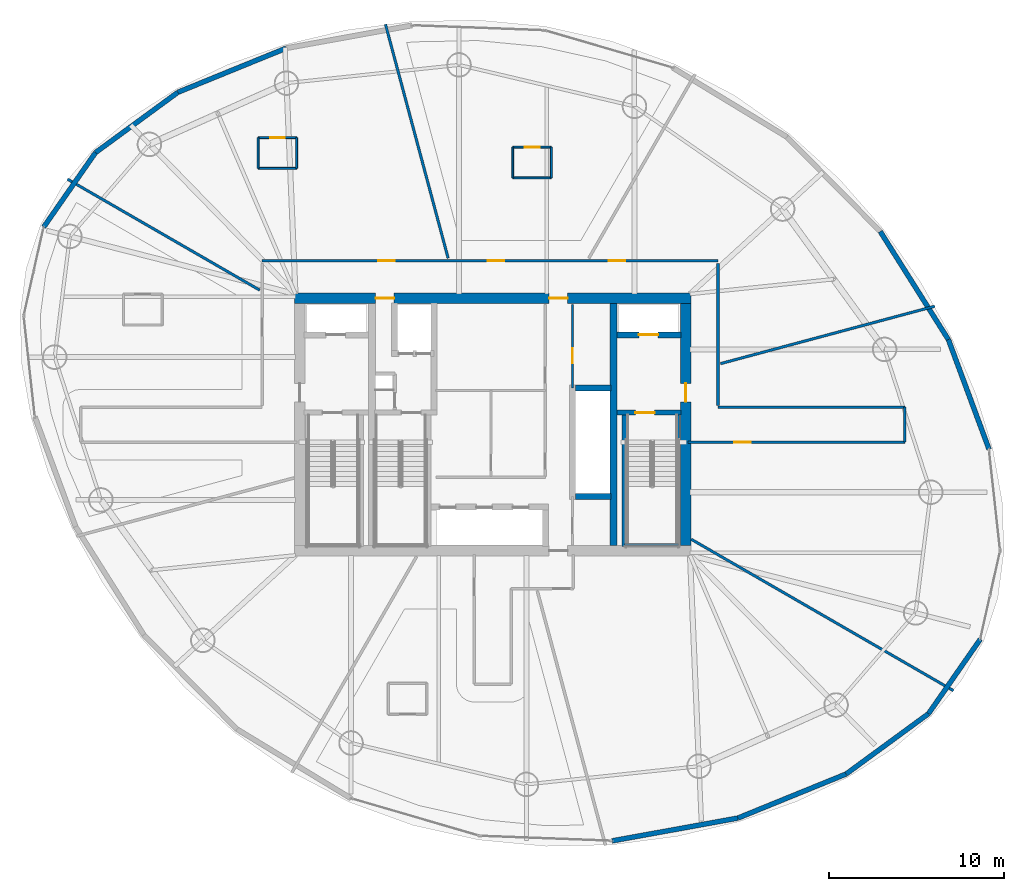
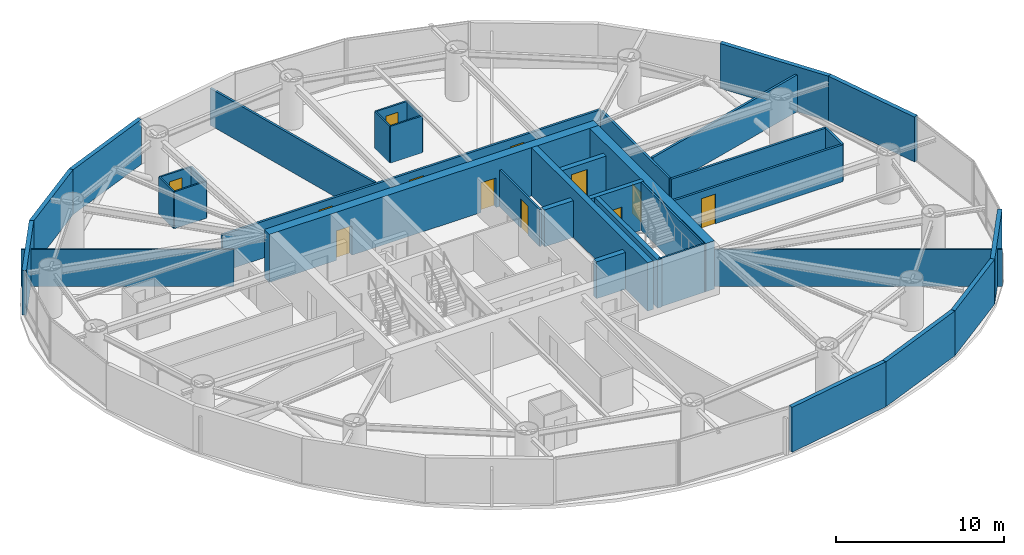
# One storey, part 18 of 22: 37 walls, 12 doors, 12 openings.
"""IFC4 building model written with IfcOpenShell, lengths in metres."""

from ifc_helpers import new_model, si_unit, direction, frame, frame_2d, origin, place, context, subcontext, project, spatial, rectangle, extrude, material, layer, layer_set, type_object, element, fill, save


model = new_model("IFC4")

# Units and contexts
model_context = context("Model", 3, precision=1e-05, world=origin(), true_north=direction((0.0, 1.0)))
body_context = subcontext(model_context, "Body", "Model", "MODEL_VIEW")
ifc_project = project(units=[si_unit("LENGTHUNIT", "METRE"), si_unit("AREAUNIT", "SQUARE_METRE"), si_unit("VOLUMEUNIT", "CUBIC_METRE"), si_unit("PLANEANGLEUNIT", "RADIAN"), si_unit("MASSUNIT", "GRAM", prefix="KILO")], contexts=[model_context])

# Site, building, storey
site_placement = place(None, origin())
site = spatial("IfcSite", under=ifc_project, at=site_placement, CompositionType="ELEMENT")
building_placement = place(site_placement, origin())
building = spatial("IfcBuilding", under=site, at=building_placement, Name="Bramvorn Convention Spire", CompositionType="ELEMENT")
storey_placement = place(building_placement, frame((0.0, 0.0, 127.300048828125)))
storey = spatial("IfcBuildingStorey", under=building, at=storey_placement, Name="L31", CompositionType="ELEMENT", Elevation=127.300048828125)

# Wall, openings, doors
ifc_material_1 = material(Name="Concrete C60/70", Category="concrete")
ifc_layer_1 = layer(ifc_material_1, 0.60009765625)
ifc_layer_set_1 = layer_set([ifc_layer_1], Name="Concrete C60/70 - WL-CORE-600")
wall_type_1 = type_object("IfcWallType", Name="WL-CORE-600", PredefinedType="SHEAR", material=ifc_layer_set_1)
wall_1_placement = place(storey_placement, frame((26.699951171875, 33.199951171875, 0.0), z_axis=(0.0, 0.0, 1.0), x_axis=(1.0, 0.0, 0.0)))
wall_1 = element("IfcWall", 1, at=wall_1_placement, inside=storey, type_object=wall_type_1, Name="L31 North RC core shear wall", PredefinedType="SHEAR", context=body_context, shape_type="SweptSolid", body=[
    extrude(rectangle(XDim=22.60009765625, YDim=0.60009765625, at=frame_2d((11.300048828125, 0.0))), origin(), (0.0, 0.0, 1.0), 3.5),
])
opening_1_placement = place(wall_1_placement, frame((4.6201171875, 0.0, 0.0)))
opening_1 = element("IfcOpeningElement", 2, at=opening_1_placement, cuts=wall_1, Name="Opening DL-105", PredefinedType="OPENING", context=body_context, shape_type="SweptSolid", body=[
    extrude(rectangle(XDim=1.050048828125, YDim=2.14990234375, at=frame_2d((0.52490234375, 1.074951171875))), frame((0.0, 0.31005859375, 0.0), z_axis=(0.0, -1.0, 0.0), x_axis=(1.0, 0.0, 0.0)), (0.0, 0.0, 1.0), 0.6201171875),
])
opening_2_placement = place(wall_1_placement, frame((14.52001953125, 0.0, 0.0)))
opening_2 = element("IfcOpeningElement", 3, at=opening_2_placement, cuts=wall_1, Name="Opening DL-105", PredefinedType="OPENING", context=body_context, shape_type="SweptSolid", body=[
    extrude(rectangle(XDim=1.050048828125, YDim=2.14990234375, at=frame_2d((0.52490234375, 1.074951171875))), frame((0.0, 0.31005859375, 0.0), z_axis=(0.0, -1.0, 0.0), x_axis=(1.0, 0.0, 0.0)), (0.0, 0.0, 1.0), 0.6201171875),
])
ifc_material_2 = material(Name="Smoke-Sealed Fire Lobby Timber-Core Door", Category="wood")
door_type_1 = type_object("IfcDoorType", Name="DR-LOBBY-1050", OperationType="NOTDEFINED", PredefinedType="DOOR", material=ifc_material_2)
door_1_placement = place(opening_1_placement, origin())
door_1 = element("IfcDoor", 4, at=door_1_placement, inside=storey, type_object=door_type_1, Name="L31 Service & Stair ST3 Lobby north corridor door", OperationType="SINGLE_SWING_LEFT", OverallHeight=2.14990234375, OverallWidth=1.050048828125, PredefinedType="DOOR", context=body_context, shape_type="SweptSolid", body=[
    extrude(rectangle(XDim=1.050048828125, YDim=2.14990234375, at=frame_2d((0.52490234375, 1.074951171875))), frame((0.0, 0.02490234375, 0.0), z_axis=(0.0, -1.0, 0.0), x_axis=(1.0, 0.0, 0.0)), (0.0, 0.0, 1.0), 0.050048828125),
])
fill(opening_1, door_1)
door_2_placement = place(opening_2_placement, origin())
door_2 = element("IfcDoor", 5, at=door_2_placement, inside=storey, type_object=door_type_1, Name="L31 North Lift Lobby fire door", OperationType="SINGLE_SWING_LEFT", OverallHeight=2.14990234375, OverallWidth=1.050048828125, PredefinedType="DOOR", context=body_context, shape_type="SweptSolid", body=[
    extrude(rectangle(XDim=1.050048828125, YDim=2.14990234375, at=frame_2d((0.52490234375, 1.074951171875))), frame((0.0, 0.02490234375, 0.0), z_axis=(0.0, -1.0, 0.0), x_axis=(1.0, 0.0, 0.0)), (0.0, 0.0, 1.0), 0.050048828125),
])
fill(opening_2, door_2)

# Wall, opening, door
wall_2_placement = place(storey_placement, frame((49.0, 19.10009765625, 0.0), z_axis=(0.0, 0.0, 1.0), x_axis=(0.0, 1.0, 0.0)))
wall_2 = element("IfcWall", 6, at=wall_2_placement, inside=storey, type_object=wall_type_1, Name="L31 East RC core shear wall", PredefinedType="SHEAR", context=body_context, shape_type="SweptSolid", body=[
    extrude(rectangle(XDim=13.7998046875, YDim=0.60009765625, at=frame_2d((6.89990234375, 0.0))), origin(), (0.0, 0.0, 1.0), 3.5),
])
opening_3_placement = place(wall_2_placement, frame((8.199951171875, 0.0, 0.0)))
opening_3 = element("IfcOpeningElement", 7, at=opening_3_placement, cuts=wall_2, Name="Opening DL-105", PredefinedType="OPENING", context=body_context, shape_type="SweptSolid", body=[
    extrude(rectangle(XDim=1.050048828125, YDim=2.14990234375, at=frame_2d((0.52490234375, 1.074951171875))), frame((0.0, 0.31005859375, 0.0), z_axis=(0.0, -1.0, 0.0), x_axis=(1.0, 0.0, 0.0)), (0.0, 0.0, 1.0), 0.6201171875),
])
door_3_placement = place(opening_3_placement, origin())
door_3 = element("IfcDoor", 8, at=door_3_placement, inside=storey, type_object=door_type_1, Name="L31 East Firefighting Lobby corridor door", OperationType="SINGLE_SWING_LEFT", OverallHeight=2.14990234375, OverallWidth=1.050048828125, PredefinedType="DOOR", context=body_context, shape_type="SweptSolid", body=[
    extrude(rectangle(XDim=1.050048828125, YDim=2.14990234375, at=frame_2d((0.52490234375, 1.074951171875))), frame((0.0, 0.02490234375, 0.0), z_axis=(0.0, -1.0, 0.0), x_axis=(1.0, 0.0, 0.0)), (0.0, 0.0, 1.0), 0.050048828125),
])
fill(opening_3, door_3)

ifc_material_3 = material(Name="Concrete C50/60", Category="concrete")
ifc_layer_2 = layer(ifc_material_3, 0.35009765625)
ifc_layer_set_2 = layer_set([ifc_layer_2], Name="Concrete C50/60 - WL-CORE-INT-350")
wall_type_2 = type_object("IfcWallType", Name="WL-CORE-INT-350", PredefinedType="SHEAR", material=ifc_layer_set_2)
wall_3_placement = place(storey_placement, frame((45.080078125, 31.1201171875, 0.0), z_axis=(0.0, 0.0, 1.0), x_axis=(1.0, 0.0, 0.0)))
wall_3 = element("IfcWall", 9, at=wall_3_placement, inside=storey, type_object=wall_type_2, Name="L31 FE2 shaft front wall", PredefinedType="SHEAR", context=body_context, shape_type="SweptSolid", body=[
    extrude(rectangle(XDim=3.669921875, YDim=0.35009765625, at=frame_2d((1.8349609375, 0.0))), origin(), (0.0, 0.0, 1.0), 2.675048828125),
])
opening_4_placement = place(wall_3_placement, frame((1.25, 0.0, 0.0)))
opening_4 = element("IfcOpeningElement", 10, at=opening_4_placement, cuts=wall_3, Name="Opening LD-110", PredefinedType="OPENING", context=body_context, shape_type="SweptSolid", body=[
    extrude(rectangle(XDim=1.10009765625, YDim=2.14990234375, at=frame_2d((0.550048828125, 1.074951171875))), frame((0.0, 0.18505859375, 0.0), z_axis=(0.0, -1.0, 0.0), x_axis=(1.0, 0.0, 0.0)), (0.0, 0.0, 1.0), 0.3701171875),
])
ifc_material_4 = material(Name="Firefighting & Service Lift Sliding Landing Door", Category="steel")
door_type_2 = type_object("IfcDoorType", Name="DR-LIFT-LD-1100", OperationType="NOTDEFINED", PredefinedType="DOOR", material=ifc_material_4)
door_4_placement = place(opening_4_placement, origin())
door_4 = element("IfcDoor", 11, at=door_4_placement, inside=storey, type_object=door_type_2, Name="L31 Lift FE2 Sliding Landing Door", OperationType="SLIDING_TO_LEFT", OverallHeight=2.14990234375, OverallWidth=1.10009765625, PredefinedType="DOOR", context=body_context, shape_type="SweptSolid", body=[
    extrude(rectangle(XDim=1.10009765625, YDim=2.14990234375, at=frame_2d((0.550048828125, 1.074951171875))), frame((0.0, 0.02490234375, 0.0), z_axis=(0.0, -1.0, 0.0), x_axis=(1.0, 0.0, 0.0)), (0.0, 0.0, 1.0), 0.050048828125),
])
fill(opening_4, door_4)

# Walls
for number, where, z_axis, x_axis, name in (
    (12, (42.719970703125, 21.89990234375, 0.0), (0.0, 0.0, 1.0), (1.0, 0.0, 0.0), "L31 High-rise lift bank south wall"),
    (13, (42.719970703125, 28.10009765625, 0.0), (0.0, 0.0, 1.0), (1.0, 0.0, 0.0), "L31 High-rise lift bank north wall"),
):
    element("IfcWall", number, at=place(storey_placement, frame(where, z_axis=z_axis, x_axis=x_axis)), inside=storey, type_object=wall_type_2, Name=name, PredefinedType="SHEAR", context=body_context, shape_type="SweptSolid", body=[
        extrude(rectangle(XDim=2.030029296875, YDim=0.35009765625, at=frame_2d((1.01513671875, 0.0))), origin(), (0.0, 0.0, 1.0), 2.675048828125),
    ])
ifc_layer_3 = layer(ifc_material_1, 0.39990234375)
ifc_layer_set_3 = layer_set([ifc_layer_3], Name="Concrete C60/70 - WL-CORE-INT-400")
wall_type_3 = type_object("IfcWallType", Name="WL-CORE-INT-400", PredefinedType="SHEAR", material=ifc_layer_set_3)
wall_4_placement = place(storey_placement, frame((44.89990234375, 19.10009765625, 0.0), z_axis=(0.0, 0.0, 1.0), x_axis=(0.0, 1.0, 0.0)))
element("IfcWall", 14, at=wall_4_placement, inside=storey, type_object=wall_type_3, Name="L31 East internal core shear web", PredefinedType="SHEAR", context=body_context, shape_type="SweptSolid", body=[
    extrude(rectangle(XDim=13.7998046875, YDim=0.39990234375, at=frame_2d((6.89990234375, 0.0))), origin(), (0.0, 0.0, 1.0), 3.5),
])
ifc_material_5 = material(Name="Precast Concrete C40/50 with Bronze Terracotta Rainscreen", Category="masonry")
ifc_layer_4 = layer(ifc_material_5, 0.300048828125)
ifc_layer_set_4 = layer_set([ifc_layer_4], Name="Precast Concrete C40/50 with Bronze Terracotta Rainscreen - WL-EXT-BRONZE-300")
wall_type_4 = type_object("IfcWallType", Name="WL-EXT-BRONZE-300", PredefinedType="SOLIDWALL", material=ifc_layer_set_4)
wall_5_placement = place(storey_placement, frame((63.987548828125, 30.85009765625, 0.0), z_axis=(0.0, 0.0, 1.0), x_axis=(0.347548177942, -0.937662126786, 0.0)))
element("IfcWall", 15, at=wall_5_placement, inside=storey, type_object=wall_type_4, Name="L31 expressed bronze Gothic lancet pier wall 03", PredefinedType="SOLIDWALL", context=body_context, shape_type="SweptSolid", body=[
    extrude(rectangle(XDim=6.6650390625, YDim=0.280029296875, at=frame_2d((3.33251953125, 0.0))), origin(), (0.0, 0.0, 1.0), 3.260009765625),
])
wall_6_placement = place(storey_placement, frame((60.099365234375, 37.018798828125, 0.0), z_axis=(0.0, 0.0, 1.0), x_axis=(0.533224356751, -0.845973868017, 0.0)))
element("IfcWall", 16, at=wall_6_placement, inside=storey, type_object=wall_type_4, Name="L31 expressed bronze Gothic lancet pier wall 04", PredefinedType="SOLIDWALL", context=body_context, shape_type="SweptSolid", body=[
    extrude(rectangle(XDim=7.291748046875, YDim=0.280029296875, at=frame_2d((3.64599609375, 0.0))), origin(), (0.0, 0.0, 1.0), 3.260009765625),
])
wall_7_placement = place(storey_placement, frame((20.04296875, 44.955810546875, 0.0), z_axis=(0.0, 0.0, 1.0), x_axis=(0.926116532719, 0.37723754827, 0.0)))
element("IfcWall", 17, at=wall_7_placement, inside=storey, type_object=wall_type_4, Name="L31 expressed bronze Gothic lancet pier wall 10", PredefinedType="SOLIDWALL", context=body_context, shape_type="SweptSolid", body=[
    extrude(rectangle(XDim=6.665283203125, YDim=0.280029296875, at=frame_2d((3.33251953125, 0.0))), origin(), (0.0, 0.0, 1.0), 3.260009765625),
])
wall_8_placement = place(storey_placement, frame((15.3447265625, 41.516357421875, 0.0), z_axis=(0.0, 0.0, 1.0), x_axis=(0.80688994243, 0.590701803625, 0.0)))
element("IfcWall", 18, at=wall_8_placement, inside=storey, type_object=wall_type_4, Name="L31 expressed bronze Gothic lancet pier wall 11", PredefinedType="SOLIDWALL", context=body_context, shape_type="SweptSolid", body=[
    extrude(rectangle(XDim=5.82275390625, YDim=0.280029296875, at=frame_2d((2.911376953125, 0.0))), origin(), (0.0, 0.0, 1.0), 3.260009765625),
])
wall_9_placement = place(storey_placement, frame((12.3896484375, 37.268798828125, 0.0), z_axis=(0.0, 0.0, 1.0), x_axis=(0.571097665785, 0.820882120731, 0.0)))
element("IfcWall", 19, at=wall_9_placement, inside=storey, type_object=wall_type_4, Name="L31 expressed bronze Gothic lancet pier wall 12", PredefinedType="SOLIDWALL", context=body_context, shape_type="SweptSolid", body=[
    extrude(rectangle(XDim=5.17431640625, YDim=0.280029296875, at=frame_2d((2.587158203125, 0.0))), origin(), (0.0, 0.0, 1.0), 3.260009765625),
])
wall_10_placement = place(storey_placement, frame((51.981201171875, 3.563232421875, 0.0), z_axis=(0.0, 0.0, 1.0), x_axis=(-0.983960849794, -0.1783845455, 0.0)))
element("IfcWall", 20, at=wall_10_placement, inside=storey, type_object=wall_type_4, Name="L31 expressed bronze Gothic lancet pier wall 21", PredefinedType="SOLIDWALL", context=body_context, shape_type="SweptSolid", body=[
    extrude(rectangle(XDim=7.2919921875, YDim=0.280029296875, at=frame_2d((3.64599609375, 0.0))), origin(), (0.0, 0.0, 1.0), 3.260009765625),
])
wall_11_placement = place(storey_placement, frame((58.15380859375, 6.07763671875, 0.0), z_axis=(0.0, 0.0, 1.0), x_axis=(-0.92611131991, -0.37725034544, 0.0)))
element("IfcWall", 21, at=wall_11_placement, inside=storey, type_object=wall_type_4, Name="L31 expressed bronze Gothic lancet pier wall 22", PredefinedType="SOLIDWALL", context=body_context, shape_type="SweptSolid", body=[
    extrude(rectangle(XDim=6.6650390625, YDim=0.280029296875, at=frame_2d((3.33251953125, 0.0))), origin(), (0.0, 0.0, 1.0), 3.260009765625),
])
wall_12_placement = place(storey_placement, frame((62.85205078125, 9.51708984375, 0.0), z_axis=(0.0, 0.0, 1.0), x_axis=(-0.80688994243, -0.590701803625, 0.0)))
element("IfcWall", 22, at=wall_12_placement, inside=storey, type_object=wall_type_4, Name="L31 expressed bronze Gothic lancet pier wall 23", PredefinedType="SOLIDWALL", context=body_context, shape_type="SweptSolid", body=[
    extrude(rectangle(XDim=5.82275390625, YDim=0.280029296875, at=frame_2d((2.911376953125, 0.0))), origin(), (0.0, 0.0, 1.0), 3.260009765625),
])
wall_13_placement = place(storey_placement, frame((65.80712890625, 13.7646484375, 0.0), z_axis=(0.0, 0.0, 1.0), x_axis=(-0.571097665785, -0.820882120731, 0.0)))
element("IfcWall", 23, at=wall_13_placement, inside=storey, type_object=wall_type_4, Name="L31 expressed bronze Gothic lancet pier wall 24", PredefinedType="SOLIDWALL", context=body_context, shape_type="SweptSolid", body=[
    extrude(rectangle(XDim=5.17431640625, YDim=0.280029296875, at=frame_2d((2.587158203125, 0.0))), origin(), (0.0, 0.0, 1.0), 3.260009765625),
])
ifc_material_6 = material(Name="Lightweight En-Suite & Wet-Wall Partition", Category="gypsum")
ifc_layer_5 = layer(ifc_material_6, 0.110107421875)
ifc_layer_set_5 = layer_set([ifc_layer_5], Name="Lightweight En-Suite & Wet-Wall Partition - WL-PART-110")
wall_type_5 = type_object("IfcWallType", Name="WL-PART-110", PredefinedType="PARTITIONING", material=ifc_layer_set_5)
wall_14_placement = place(storey_placement, frame((39.141357421875, 40.071044921875, 0.0), z_axis=(0.0, 0.0, 1.0), x_axis=(1.0, 0.0, 0.0)))
element("IfcWall", 24, at=wall_14_placement, inside=storey, type_object=wall_type_5, Name="Hotel Suite 3102 en-suite south wall", PredefinedType="PARTITIONING", context=body_context, shape_type="SweptSolid", body=[
    extrude(rectangle(XDim=2.199951171875, YDim=0.110107421875, at=frame_2d((1.10009765625, 0.0))), origin(), (0.0, 0.0, 1.0), 2.675048828125),
])

# Wall, opening, door
wall_15_placement = place(storey_placement, frame((39.141357421875, 41.8310546875, 0.0), z_axis=(0.0, 0.0, 1.0), x_axis=(1.0, 0.0, 0.0)))
wall_15 = element("IfcWall", 25, at=wall_15_placement, inside=storey, type_object=wall_type_5, Name="Hotel Suite 3102 en-suite north wall", PredefinedType="PARTITIONING", context=body_context, shape_type="SweptSolid", body=[
    extrude(rectangle(XDim=2.199951171875, YDim=0.110107421875, at=frame_2d((1.10009765625, 0.0))), origin(), (0.0, 0.0, 1.0), 2.675048828125),
])
opening_5_placement = place(wall_15_placement, frame((0.679931640625, 0.0, 0.0)))
opening_5 = element("IfcOpeningElement", 26, at=opening_5_placement, cuts=wall_15, Name="Opening DI-085", PredefinedType="OPENING", context=body_context, shape_type="SweptSolid", body=[
    extrude(rectangle(XDim=0.85009765625, YDim=2.10009765625, at=frame_2d((0.425048828125, 1.050048828125))), frame((0.0, 0.06494140625, 0.0), z_axis=(0.0, -1.0, 0.0), x_axis=(1.0, 0.0, 0.0)), (0.0, 0.0, 1.0), 0.130126953125),
])
ifc_material_7 = material(Name="En-Suite & Restroom Privacy Door", Category="wood")
door_type_3 = type_object("IfcDoorType", Name="DR-INT-850", OperationType="NOTDEFINED", PredefinedType="DOOR", material=ifc_material_7)
door_5_placement = place(opening_5_placement, origin())
door_5 = element("IfcDoor", 27, at=door_5_placement, inside=storey, type_object=door_type_3, Name="Hotel Suite 3102 En-Suite Bathroom door", OperationType="SINGLE_SWING_LEFT", OverallHeight=2.10009765625, OverallWidth=0.85009765625, PredefinedType="DOOR", context=body_context, shape_type="SweptSolid", body=[
    extrude(rectangle(XDim=0.85009765625, YDim=2.10009765625, at=frame_2d((0.425048828125, 1.050048828125))), frame((0.0, 0.02490234375, 0.0), z_axis=(0.0, -1.0, 0.0), x_axis=(1.0, 0.0, 0.0)), (0.0, 0.0, 1.0), 0.050048828125),
])
fill(opening_5, door_5)

# Walls
for number, where, z_axis, x_axis, name in (
    (28, (39.141357421875, 40.071044921875, 0.0), (0.0, 0.0, 1.0), (0.0, 1.0, 0.0), "Hotel Suite 3102 en-suite west wall"),
    (29, (41.34130859375, 40.071044921875, 0.0), (0.0, 0.0, 1.0), (0.0, 1.0, 0.0), "Hotel Suite 3102 en-suite east wall"),
):
    element("IfcWall", number, at=place(storey_placement, frame(where, z_axis=z_axis, x_axis=x_axis)), inside=storey, type_object=wall_type_5, Name=name, PredefinedType="PARTITIONING", context=body_context, shape_type="SweptSolid", body=[
        extrude(rectangle(XDim=1.760009765625, YDim=0.110107421875, at=frame_2d((0.8798828125, 0.0))), origin(), (0.0, 0.0, 1.0), 2.675048828125),
    ])
wall_16_placement = place(storey_placement, frame((24.617919921875, 40.61279296875, 0.0), z_axis=(0.0, 0.0, 1.0), x_axis=(1.0, 0.0, 0.0)))
element("IfcWall", 30, at=wall_16_placement, inside=storey, type_object=wall_type_5, Name="Hotel Suite 3103 en-suite south wall", PredefinedType="PARTITIONING", context=body_context, shape_type="SweptSolid", body=[
    extrude(rectangle(XDim=2.199951171875, YDim=0.110107421875, at=frame_2d((1.10009765625, 0.0))), origin(), (0.0, 0.0, 1.0), 2.675048828125),
])

# Wall, opening, door
wall_17_placement = place(storey_placement, frame((24.617919921875, 42.372802734375, 0.0), z_axis=(0.0, 0.0, 1.0), x_axis=(1.0, 0.0, 0.0)))
wall_17 = element("IfcWall", 31, at=wall_17_placement, inside=storey, type_object=wall_type_5, Name="Hotel Suite 3103 en-suite north wall", PredefinedType="PARTITIONING", context=body_context, shape_type="SweptSolid", body=[
    extrude(rectangle(XDim=2.199951171875, YDim=0.110107421875, at=frame_2d((1.10009765625, 0.0))), origin(), (0.0, 0.0, 1.0), 2.675048828125),
])
opening_6_placement = place(wall_17_placement, frame((0.679931640625, 0.0, 0.0)))
opening_6 = element("IfcOpeningElement", 32, at=opening_6_placement, cuts=wall_17, Name="Opening DI-085", PredefinedType="OPENING", context=body_context, shape_type="SweptSolid", body=[
    extrude(rectangle(XDim=0.85009765625, YDim=2.10009765625, at=frame_2d((0.425048828125, 1.050048828125))), frame((0.0, 0.06494140625, 0.0), z_axis=(0.0, -1.0, 0.0), x_axis=(1.0, 0.0, 0.0)), (0.0, 0.0, 1.0), 0.130126953125),
])
door_6_placement = place(opening_6_placement, origin())
door_6 = element("IfcDoor", 33, at=door_6_placement, inside=storey, type_object=door_type_3, Name="Hotel Suite 3103 En-Suite Bathroom door", OperationType="SINGLE_SWING_LEFT", OverallHeight=2.10009765625, OverallWidth=0.85009765625, PredefinedType="DOOR", context=body_context, shape_type="SweptSolid", body=[
    extrude(rectangle(XDim=0.85009765625, YDim=2.10009765625, at=frame_2d((0.425048828125, 1.050048828125))), frame((0.0, 0.02490234375, 0.0), z_axis=(0.0, -1.0, 0.0), x_axis=(1.0, 0.0, 0.0)), (0.0, 0.0, 1.0), 0.050048828125),
])
fill(opening_6, door_6)

# Walls
for number, where, z_axis, x_axis, name in (
    (34, (24.617919921875, 40.61279296875, 0.0), (0.0, 0.0, 1.0), (0.0, 1.0, 0.0), "Hotel Suite 3103 en-suite west wall"),
    (35, (26.81787109375, 40.61279296875, 0.0), (0.0, 0.0, 1.0), (0.0, 1.0, 0.0), "Hotel Suite 3103 en-suite east wall"),
):
    element("IfcWall", number, at=place(storey_placement, frame(where, z_axis=z_axis, x_axis=x_axis)), inside=storey, type_object=wall_type_5, Name=name, PredefinedType="PARTITIONING", context=body_context, shape_type="SweptSolid", body=[
        extrude(rectangle(XDim=1.760009765625, YDim=0.110107421875, at=frame_2d((0.8798828125, 0.0))), origin(), (0.0, 0.0, 1.0), 2.675048828125),
    ])

# Wall, opening, door
ifc_material_8 = material(Name="Metal-Stud Demountable Office Partition", Category="gypsum")
ifc_layer_6 = layer(ifc_material_8, 0.1298828125)
ifc_layer_set_6 = layer_set([ifc_layer_6], Name="Metal-Stud Demountable Office Partition - WL-PART-130")
wall_type_6 = type_object("IfcWallType", Name="WL-PART-130", PredefinedType="PARTITIONING", material=ifc_layer_set_6)
wall_18_placement = place(storey_placement, frame((42.550048828125, 28.10009765625, 0.0), z_axis=(0.0, 0.0, 1.0), x_axis=(0.0, 1.0, 0.0)))
wall_18 = element("IfcWall", 36, at=wall_18_placement, inside=storey, type_object=wall_type_6, Name="L31 KA NE IDF wall", PredefinedType="PARTITIONING", context=body_context, shape_type="SweptSolid", body=[
    extrude(rectangle(XDim=4.75, YDim=0.1298828125, at=frame_2d((2.375, 0.0))), origin(), (0.0, 0.0, 1.0), 2.675048828125),
])
opening_7_placement = place(wall_18_placement, frame((1.39990234375, 0.0, 0.0)))
opening_7 = element("IfcOpeningElement", 37, at=opening_7_placement, cuts=wall_18, Name="Opening DC-085", PredefinedType="OPENING", context=body_context, shape_type="SweptSolid", body=[
    extrude(rectangle(XDim=0.85009765625, YDim=2.10009765625, at=frame_2d((0.425048828125, 1.050048828125))), frame((0.0, 0.074951171875, 0.0), z_axis=(0.0, -1.0, 0.0), x_axis=(1.0, 0.0, 0.0)), (0.0, 0.0, 1.0), 0.14990234375),
])
ifc_material_9 = material(Name="Fire-Rated Core Washroom & IDF Door", Category="wood")
door_type_4 = type_object("IfcDoorType", Name="DR-CORE-850", OperationType="NOTDEFINED", PredefinedType="DOOR", material=ifc_material_9)
door_7_placement = place(opening_7_placement, origin())
door_7 = element("IfcDoor", 38, at=door_7_placement, inside=storey, type_object=door_type_4, Name="L31 Core IDF & BMS Room door", OperationType="SINGLE_SWING_LEFT", OverallHeight=2.10009765625, OverallWidth=0.85009765625, PredefinedType="DOOR", context=body_context, shape_type="SweptSolid", body=[
    extrude(rectangle(XDim=0.85009765625, YDim=2.10009765625, at=frame_2d((0.425048828125, 1.050048828125))), frame((0.0, 0.02490234375, 0.0), z_axis=(0.0, -1.0, 0.0), x_axis=(1.0, 0.0, 0.0)), (0.0, 0.0, 1.0), 0.050048828125),
])
fill(opening_7, door_7)

# Wall, openings, doors
ifc_material_10 = material(Name="Acoustic Metal-Stud Tenant/Corridor Partition", Category="gypsum")
ifc_layer_7 = layer(ifc_material_10, 0.14990234375)
ifc_layer_set_7 = layer_set([ifc_layer_7], Name="Acoustic Metal-Stud Tenant/Corridor Partition - WL-PART-150")
wall_type_7 = type_object("IfcWallType", Name="WL-PART-150", PredefinedType="PARTITIONING", material=ifc_layer_set_7)
wall_19_placement = place(storey_placement, frame((24.85009765625, 35.35009765625, 0.0), z_axis=(0.0, 0.0, 1.0), x_axis=(1.0, 0.0, 0.0)))
wall_19 = element("IfcWall", 39, at=wall_19_placement, inside=storey, type_object=wall_type_7, Name="L31 North gallery wall", PredefinedType="PARTITIONING", context=body_context, shape_type="SweptSolid", body=[
    extrude(rectangle(XDim=26.0, YDim=0.14990234375, at=frame_2d((13.0, 0.0))), origin(), (0.0, 0.0, 1.0), 2.675048828125),
])
opening_8_placement = place(wall_19_placement, frame((19.765869140625, 0.0, 0.0)))
opening_8 = element("IfcOpeningElement", 40, at=opening_8_placement, cuts=wall_19, Name="Opening DH-095", PredefinedType="OPENING", context=body_context, shape_type="SweptSolid", body=[
    extrude(rectangle(XDim=0.949951171875, YDim=2.14990234375, at=frame_2d((0.47509765625, 1.074951171875))), frame((0.0, 0.0849609375, 0.0), z_axis=(0.0, -1.0, 0.0), x_axis=(1.0, 0.0, 0.0)), (0.0, 0.0, 1.0), 0.169921875),
])
opening_9_placement = place(wall_19_placement, frame((12.851806640625, 0.0, 0.0)))
opening_9 = element("IfcOpeningElement", 41, at=opening_9_placement, cuts=wall_19, Name="Opening DH-095", PredefinedType="OPENING", context=body_context, shape_type="SweptSolid", body=[
    extrude(rectangle(XDim=0.949951171875, YDim=2.14990234375, at=frame_2d((0.47509765625, 1.074951171875))), frame((0.0, 0.0849609375, 0.0), z_axis=(0.0, -1.0, 0.0), x_axis=(1.0, 0.0, 0.0)), (0.0, 0.0, 1.0), 0.169921875),
])
opening_10_placement = place(wall_19_placement, frame((6.61572265625, 0.0, 0.0)))
opening_10 = element("IfcOpeningElement", 42, at=opening_10_placement, cuts=wall_19, Name="Opening DH-095", PredefinedType="OPENING", context=body_context, shape_type="SweptSolid", body=[
    extrude(rectangle(XDim=0.949951171875, YDim=2.14990234375, at=frame_2d((0.47509765625, 1.074951171875))), frame((0.0, 0.0849609375, 0.0), z_axis=(0.0, -1.0, 0.0), x_axis=(1.0, 0.0, 0.0)), (0.0, 0.0, 1.0), 0.169921875),
])
ifc_material_11 = material(Name="Solid-Core Acoustic Guestroom Entry Door", Category="wood")
door_type_5 = type_object("IfcDoorType", Name="DR-HOTEL-950", OperationType="NOTDEFINED", PredefinedType="DOOR", material=ifc_material_11)
door_8_placement = place(opening_8_placement, origin())
door_8 = element("IfcDoor", 43, at=door_8_placement, inside=storey, type_object=door_type_5, Name="L31 Hospitality Lounge 1 door", OperationType="SINGLE_SWING_LEFT", OverallHeight=2.14990234375, OverallWidth=0.949951171875, PredefinedType="DOOR", context=body_context, shape_type="SweptSolid", body=[
    extrude(rectangle(XDim=0.949951171875, YDim=2.14990234375, at=frame_2d((0.47509765625, 1.074951171875))), frame((0.0, 0.02490234375, 0.0), z_axis=(0.0, -1.0, 0.0), x_axis=(1.0, 0.0, 0.0)), (0.0, 0.0, 1.0), 0.050048828125),
])
fill(opening_8, door_8)
door_9_placement = place(opening_9_placement, origin())
door_9 = element("IfcDoor", 44, at=door_9_placement, inside=storey, type_object=door_type_5, Name="Hotel Suite 3102 entry door", OperationType="SINGLE_SWING_RIGHT", OverallHeight=2.14990234375, OverallWidth=0.949951171875, PredefinedType="DOOR", context=body_context, shape_type="SweptSolid", body=[
    extrude(rectangle(XDim=0.949951171875, YDim=2.14990234375, at=frame_2d((0.47509765625, 1.074951171875))), frame((0.0, 0.02490234375, 0.0), z_axis=(0.0, -1.0, 0.0), x_axis=(1.0, 0.0, 0.0)), (0.0, 0.0, 1.0), 0.050048828125),
])
fill(opening_9, door_9)
door_10_placement = place(opening_10_placement, origin())
door_10 = element("IfcDoor", 45, at=door_10_placement, inside=storey, type_object=door_type_5, Name="Hotel Suite 3103 entry door", OperationType="SINGLE_SWING_RIGHT", OverallHeight=2.14990234375, OverallWidth=0.949951171875, PredefinedType="DOOR", context=body_context, shape_type="SweptSolid", body=[
    extrude(rectangle(XDim=0.949951171875, YDim=2.14990234375, at=frame_2d((0.47509765625, 1.074951171875))), frame((0.0, 0.02490234375, 0.0), z_axis=(0.0, -1.0, 0.0), x_axis=(1.0, 0.0, 0.0)), (0.0, 0.0, 1.0), 0.050048828125),
])
fill(opening_10, door_10)

# Walls
wall_20_placement = place(storey_placement, frame((50.85009765625, 27.080078125, 0.0), z_axis=(0.0, 0.0, 1.0), x_axis=(0.0, 1.0, 0.0)))
element("IfcWall", 46, at=wall_20_placement, inside=storey, type_object=wall_type_7, Name="L31 NE gallery cheek", PredefinedType="PARTITIONING", context=body_context, shape_type="SweptSolid", body=[
    extrude(rectangle(XDim=8.119873046875, YDim=0.14990234375, at=frame_2d((4.06005859375, 0.0))), origin(), (0.0, 0.0, 1.0), 2.675048828125),
])
wall_21_placement = place(storey_placement, frame((50.85009765625, 27.0, 0.0), z_axis=(0.0, 0.0, 1.0), x_axis=(1.0, 0.0, 0.0)))
element("IfcWall", 47, at=wall_21_placement, inside=storey, type_object=wall_type_7, Name="L31 East wing spine north wall", PredefinedType="PARTITIONING", context=body_context, shape_type="SweptSolid", body=[
    extrude(rectangle(XDim=10.64990234375, YDim=0.14990234375, at=frame_2d((5.324951171875, 0.0))), origin(), (0.0, 0.0, 1.0), 2.675048828125),
])

# Wall, opening, door
wall_22_placement = place(storey_placement, frame((49.14990234375, 25.0, 0.0), z_axis=(0.0, 0.0, 1.0), x_axis=(1.0, 0.0, 0.0)))
wall_22 = element("IfcWall", 48, at=wall_22_placement, inside=storey, type_object=wall_type_7, Name="L31 East wing spine south wall", PredefinedType="PARTITIONING", context=body_context, shape_type="SweptSolid", body=[
    extrude(rectangle(XDim=12.35009765625, YDim=0.14990234375, at=frame_2d((6.175048828125, 0.0))), origin(), (0.0, 0.0, 1.0), 2.675048828125),
])
opening_11_placement = place(wall_22_placement, frame((2.612548828125, 0.0, 0.0)))
opening_11 = element("IfcOpeningElement", 49, at=opening_11_placement, cuts=wall_22, Name="Opening DH-095", PredefinedType="OPENING", context=body_context, shape_type="SweptSolid", body=[
    extrude(rectangle(XDim=0.949951171875, YDim=2.14990234375, at=frame_2d((0.47509765625, 1.074951171875))), frame((0.0, 0.0849609375, 0.0), z_axis=(0.0, -1.0, 0.0), x_axis=(1.0, 0.0, 0.0)), (0.0, 0.0, 1.0), 0.169921875),
])
door_11_placement = place(opening_11_placement, origin())
door_11 = element("IfcDoor", 50, at=door_11_placement, inside=storey, type_object=door_type_5, Name="L31 Hospitality Salon 8 door", OperationType="SINGLE_SWING_LEFT", OverallHeight=2.14990234375, OverallWidth=0.949951171875, PredefinedType="DOOR", context=body_context, shape_type="SweptSolid", body=[
    extrude(rectangle(XDim=0.949951171875, YDim=2.14990234375, at=frame_2d((0.47509765625, 1.074951171875))), frame((0.0, 0.02490234375, 0.0), z_axis=(0.0, -1.0, 0.0), x_axis=(1.0, 0.0, 0.0)), (0.0, 0.0, 1.0), 0.050048828125),
])
fill(opening_11, door_11)

# Walls
wall_23_placement = place(storey_placement, frame((61.5, 25.0, 0.0), z_axis=(0.0, 0.0, 1.0), x_axis=(0.0, 1.0, 0.0)))
element("IfcWall", 51, at=wall_23_placement, inside=storey, type_object=wall_type_7, Name="L31 East wing spine end wall", PredefinedType="PARTITIONING", context=body_context, shape_type="SweptSolid", body=[
    extrude(rectangle(XDim=2.0, YDim=0.14990234375, at=frame_2d((1.0, 0.0))), origin(), (0.0, 0.0, 1.0), 2.675048828125),
])
wall_24_placement = place(storey_placement, frame((50.989990234375, 29.480712890625, 0.0), z_axis=(0.0, 0.0, 1.0), x_axis=(0.965926429522, 0.258816793797, 0.0)))
element("IfcWall", 52, at=wall_24_placement, inside=storey, type_object=wall_type_7, Name="L31 Guestroom demising wall 1", PredefinedType="PARTITIONING", context=body_context, shape_type="SweptSolid", body=[
    extrude(rectangle(XDim=12.650634765625, YDim=0.14990234375, at=frame_2d((6.3251953125, 0.0))), origin(), (0.0, 0.0, 1.0), 2.675048828125),
])
wall_25_placement = place(storey_placement, frame((35.457275390625, 35.489990234375, 0.0), z_axis=(0.0, 0.0, 1.0), x_axis=(-0.258827369618, 0.965923595704, 0.0)))
element("IfcWall", 53, at=wall_25_placement, inside=storey, type_object=wall_type_7, Name="L31 Guestroom demising wall 3", PredefinedType="PARTITIONING", context=body_context, shape_type="SweptSolid", body=[
    extrude(rectangle(XDim=13.81396484375, YDim=0.14990234375, at=frame_2d((6.906982421875, 0.0))), origin(), (0.0, 0.0, 1.0), 2.675048828125),
])
wall_26_placement = place(storey_placement, frame((24.7099609375, 33.673095703125, 0.0), z_axis=(0.0, 0.0, 1.0), x_axis=(-0.866026921982, 0.499997370395, 0.0)))
element("IfcWall", 54, at=wall_26_placement, inside=storey, type_object=wall_type_7, Name="L31 Guestroom demising wall 4", PredefinedType="PARTITIONING", context=body_context, shape_type="SweptSolid", body=[
    extrude(rectangle(XDim=12.658203125, YDim=0.14990234375, at=frame_2d((6.3291015625, 0.0))), origin(), (0.0, 0.0, 1.0), 2.675048828125),
])
wall_27_placement = place(storey_placement, frame((49.320068359375, 19.46435546875, 0.0), z_axis=(0.0, 0.0, 1.0), x_axis=(0.866026939975, -0.499997339231, 0.0)))
element("IfcWall", 55, at=wall_27_placement, inside=storey, type_object=wall_type_7, Name="L31 Guestroom demising wall 8", PredefinedType="PARTITIONING", context=body_context, shape_type="SweptSolid", body=[
    extrude(rectangle(XDim=17.2724609375, YDim=0.14990234375, at=frame_2d((8.63623046875, 0.0))), origin(), (0.0, 0.0, 1.0), 2.675048828125),
])

# Wall, opening, door
ifc_layer_8 = layer(ifc_material_3, 0.300048828125)
ifc_layer_set_8 = layer_set([ifc_layer_8], Name="Concrete C50/60 - WL-POD-STAIR-300")
wall_type_8 = type_object("IfcWallType", Name="WL-POD-STAIR-300", PredefinedType="SHEAR", material=ifc_layer_set_8)
wall_28_placement = place(storey_placement, frame((45.080078125, 26.68994140625, 0.0), z_axis=(0.0, 0.0, 1.0), x_axis=(1.0, 0.0, 0.0)))
wall_28 = element("IfcWall", 56, at=wall_28_placement, inside=storey, type_object=wall_type_8, Name="L31 ST2 north fire wall", PredefinedType="SHEAR", context=body_context, shape_type="SweptSolid", body=[
    extrude(rectangle(XDim=3.669921875, YDim=0.300048828125, at=frame_2d((1.8349609375, 0.0))), origin(), (0.0, 0.0, 1.0), 3.5),
])
opening_12_placement = place(wall_28_placement, frame((1.050048828125, 0.0, 0.0)))
opening_12 = element("IfcOpeningElement", 57, at=opening_12_placement, cuts=wall_28, Name="Opening DS-110", PredefinedType="OPENING", context=body_context, shape_type="SweptSolid", body=[
    extrude(rectangle(XDim=1.10009765625, YDim=2.14990234375, at=frame_2d((0.550048828125, 1.074951171875))), frame((0.0, 0.159912109375, 0.0), z_axis=(0.0, -1.0, 0.0), x_axis=(1.0, 0.0, 0.0)), (0.0, 0.0, 1.0), 0.320068359375),
])
ifc_material_12 = material(Name="Fire-Rated Hollow Steel Stairwell Door", Category="steel")
door_type_6 = type_object("IfcDoorType", Name="DR-STAIR-1100", OperationType="NOTDEFINED", PredefinedType="DOOR", material=ifc_material_12)
door_12_placement = place(opening_12_placement, origin())
door_12 = element("IfcDoor", 58, at=door_12_placement, inside=storey, type_object=door_type_6, Name="L31 Stair ST2 fire door", OperationType="SINGLE_SWING_RIGHT", OverallHeight=2.14990234375, OverallWidth=1.10009765625, PredefinedType="DOOR", context=body_context, shape_type="SweptSolid", body=[
    extrude(rectangle(XDim=1.10009765625, YDim=2.14990234375, at=frame_2d((0.550048828125, 1.074951171875))), frame((0.0, 0.02490234375, 0.0), z_axis=(0.0, -1.0, 0.0), x_axis=(1.0, 0.0, 0.0)), (0.0, 0.0, 1.0), 0.050048828125),
])
fill(opening_12, door_12)

# Walls
wall_29_placement = place(storey_placement, frame((45.510009765625, 19.050048828125, 0.0), z_axis=(0.0, 0.0, 1.0), x_axis=(0.0, 1.0, 0.0)))
element("IfcWall", 59, at=wall_29_placement, inside=storey, type_object=wall_type_8, Name="L31 ST2 west bearing wall", PredefinedType="SHEAR", context=body_context, shape_type="SweptSolid", body=[
    extrude(rectangle(XDim=7.5, YDim=0.300048828125, at=frame_2d((3.75, 0.0))), origin(), (0.0, 0.0, 1.0), 3.5),
])
ifc_layer_9 = layer(ifc_material_3, 0.1201171875)
ifc_layer_set_9 = layer_set([ifc_layer_9], Name="Concrete C50/60 - WL-STAIR-RC-120")
wall_type_9 = type_object("IfcWallType", Name="WL-STAIR-RC-120", PredefinedType="SHEAR", material=ifc_layer_set_9)
wall_30_placement = place(storey_placement, frame((48.60498046875, 19.10009765625, 0.0), z_axis=(0.0, 0.0, 1.0), x_axis=(0.0, 1.0, 0.0)))
element("IfcWall", 60, at=wall_30_placement, inside=storey, type_object=wall_type_9, Name="L31 ST2 east bearing shear wall", PredefinedType="SHEAR", context=body_context, shape_type="SweptSolid", body=[
    extrude(rectangle(XDim=7.449951171875, YDim=0.1201171875, at=frame_2d((3.72509765625, 0.0))), origin(), (0.0, 0.0, 1.0), 3.5),
])
wall_31_placement = place(storey_placement, frame((45.510009765625, 19.159912109375, 0.0), z_axis=(0.0, 0.0, 1.0), x_axis=(1.0, 0.0, 0.0)))
element("IfcWall", 61, at=wall_31_placement, inside=storey, type_object=wall_type_9, Name="L31 ST2 south bearing shear wall", PredefinedType="SHEAR", context=body_context, shape_type="SweptSolid", body=[
    extrude(rectangle(XDim=3.094970703125, YDim=0.1201171875, at=frame_2d((1.54736328125, 0.0))), origin(), (0.0, 0.0, 1.0), 3.5),
])

save(model, "model.ifc")
